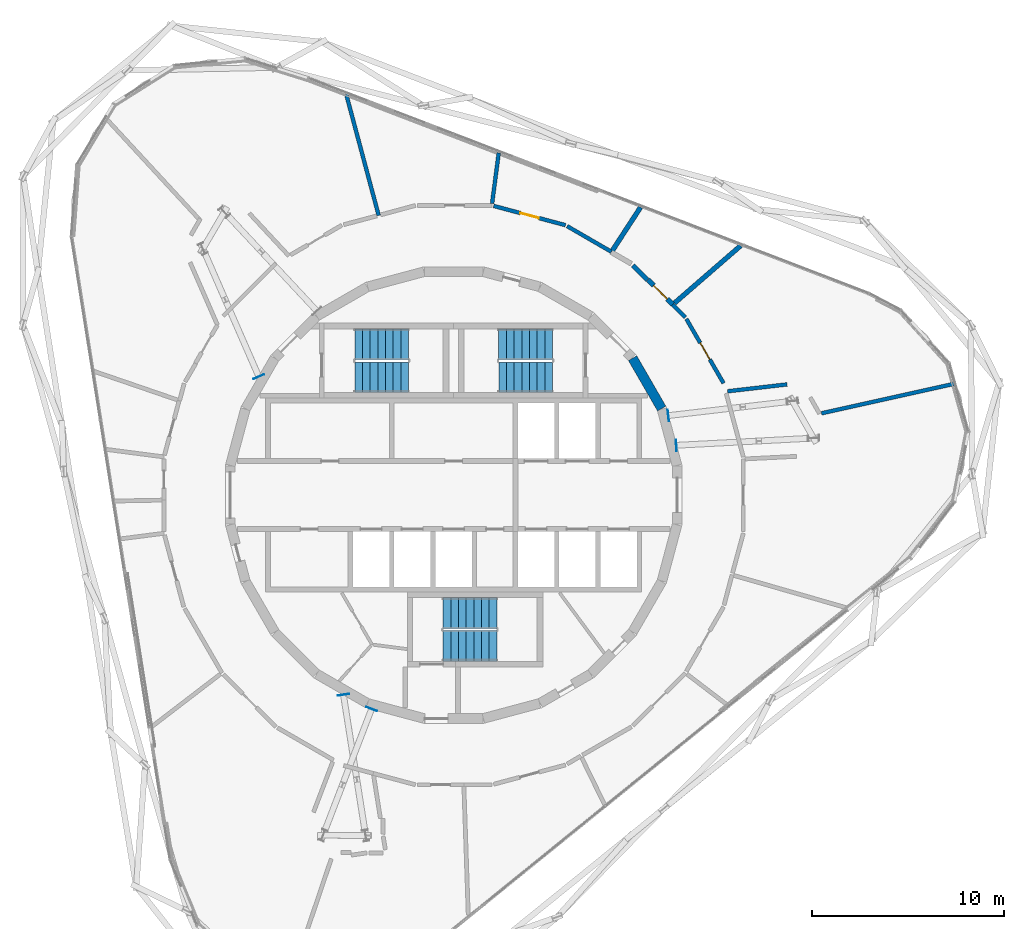
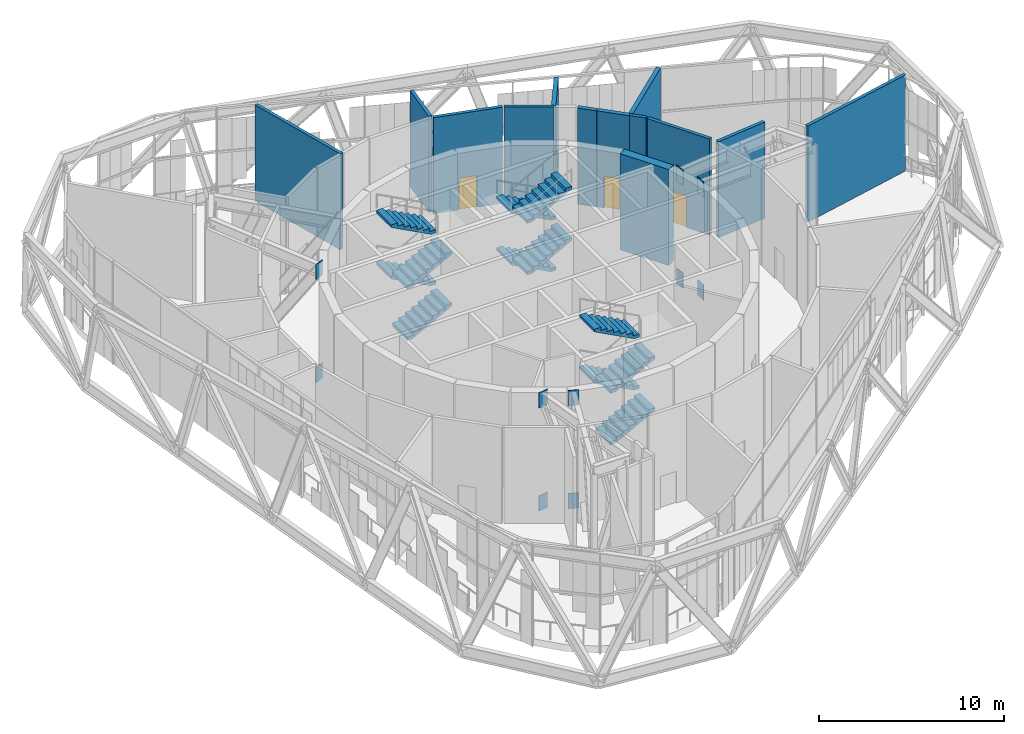
# One storey, part 22 of 25: 13 walls, 12 stair flights, 10 discrete accessories, 3 doors, 3 openings, 3 elements without a shape of their own.
"""IFC4 building model written with IfcOpenShell, lengths in metres."""

from ifc_helpers import new_model, si_unit, direction, frame, frame_2d, origin, origin_2d, place, context, subcontext, project, spatial, polyline, rectangle, outline, extrude, material, layer, layer_set, type_object, element, fill, aggregate, save


model = new_model("IFC4")

# Units and contexts
model_context = context("Model", 3, precision=1e-05, world=origin(), true_north=direction((0.0, 1.0)))
body_context = subcontext(model_context, "Body", "Model", "MODEL_VIEW")
ifc_project = project(units=[si_unit("LENGTHUNIT", "METRE"), si_unit("AREAUNIT", "SQUARE_METRE"), si_unit("VOLUMEUNIT", "CUBIC_METRE"), si_unit("PLANEANGLEUNIT", "RADIAN"), si_unit("MASSUNIT", "GRAM", prefix="KILO")], contexts=[model_context])

# Site, building, storey
site_placement = place(None, origin())
site = spatial("IfcSite", under=ifc_project, at=site_placement, CompositionType="ELEMENT")
building_placement = place(site_placement, origin())
building = spatial("IfcBuilding", under=site, at=building_placement, Name="Spindle Arch Residences", CompositionType="ELEMENT")
storey_placement = place(building_placement, frame((0.0, 0.0, 291.39990234375)))
storey = spatial("IfcBuildingStorey", under=building, at=storey_placement, Name="L75", CompositionType="ELEMENT", Elevation=291.39990234375)

# Walls
ifc_material_1 = material(Name="Concrete C50/60", Category="concrete")
ifc_layer_1 = layer(ifc_material_1, 0.5)
ifc_layer_set_1 = layer_set([ifc_layer_1], Name="Core outline wall 500")
wall_type_1 = type_object("IfcWallType", Name="Core outline wall 500", PredefinedType="SHEAR", material=ifc_layer_set_1)
wall_1_placement = place(storey_placement, frame((10.84521484375, 4.510498046875, 0.0), z_axis=(0.0, 0.0, 1.0), x_axis=(-0.500087131594, 0.865975092491, 0.0)))
element("IfcWall", 1, at=wall_1_placement, inside=storey, type_object=wall_type_1, Name="Core outline wall 8", PredefinedType="SHEAR", context=body_context, shape_type="SweptSolid", body=[
    extrude(rectangle(XDim=3.03271484375, YDim=0.5, at=frame_2d((1.516357421875, 0.0))), origin(), (0.0, 0.0, 1.0), 6.35009765625),
])
ifc_material_2 = material(Name="Concrete C25/30 wall", Category="concrete")
ifc_layer_2 = layer(ifc_material_2, 0.25)
ifc_layer_set_2 = layer_set([ifc_layer_2], Name="Partition EI 120 250 store")
wall_type_2 = type_object("IfcWallType", Name="Partition EI 120 250 store", PredefinedType="PARTITIONING", material=ifc_layer_set_2)
wall_2_placement = place(storey_placement, frame((9.739990234375, 15.0, 0.0), z_axis=(0.0, 0.0, 1.0), x_axis=(-0.545487355209, -0.838119051989, 0.0)))
element("IfcWall", 2, at=wall_2_placement, inside=storey, type_object=wall_type_2, Name="L75-W048", PredefinedType="PARTITIONING", context=body_context, shape_type="SweptSolid", body=[
    extrude(rectangle(XDim=2.76806640625, YDim=0.25, at=frame_2d((1.384033203125, 0.0))), origin(), (0.0, 0.0, 1.0), 6.35009765625),
])
wall_3_placement = place(storey_placement, frame((10.10009765625, 11.219970703125, 0.0), z_axis=(0.0, 0.0, 1.0), x_axis=(-0.707106781187, 0.707106781187, 0.0)))
element("IfcWall", 3, at=wall_3_placement, inside=storey, type_object=wall_type_2, Name="L75-W049", PredefinedType="PARTITIONING", context=body_context, shape_type="SweptSolid", body=[
    extrude(rectangle(XDim=1.06298828125, YDim=0.25, at=frame_2d((0.531494140625, 0.0))), origin(), (0.0, 0.0, 1.0), 6.35009765625),
])

# Wall, opening, door
wall_4_placement = place(storey_placement, frame((11.419921875, 9.929931640625, 0.0), z_axis=(0.0, 0.0, 1.0), x_axis=(-0.707106781187, 0.707106781187, 0.0)))
wall_4 = element("IfcWall", 4, at=wall_4_placement, inside=storey, type_object=wall_type_2, Name="L75-W050", PredefinedType="PARTITIONING", context=body_context, shape_type="SweptSolid", body=[
    extrude(rectangle(XDim=1.824462890625, YDim=0.25, at=frame_2d((0.912109375, 0.0))), origin(), (0.0, 0.0, 1.0), 6.35009765625),
])
opening_1_placement = place(wall_4_placement, frame((0.412109375, 0.0, 0.0)))
opening_1 = element("IfcOpeningElement", 5, at=opening_1_placement, cuts=wall_4, Name="Opening L75-D12", PredefinedType="OPENING", context=body_context, shape_type="SweptSolid", body=[
    extrude(rectangle(XDim=1.0, YDim=2.10009765625, at=frame_2d((0.5, 1.050048828125))), frame((0.0, 0.135009765625, 0.0), z_axis=(0.0, -1.0, 0.0), x_axis=(1.0, 0.0, 0.0)), (0.0, 0.0, 1.0), 0.27001953125),
])
ifc_material_3 = material(Name="Steel door leaf, painted", Category="steel")
door_type_1 = type_object("IfcDoorType", Name="Door 1000x2100 EI 60", OperationType="SINGLE_SWING_LEFT", PredefinedType="DOOR", material=ifc_material_3)
door_1_placement = place(opening_1_placement, origin())
door_1 = element("IfcDoor", 6, at=door_1_placement, inside=storey, type_object=door_type_1, Name="L75-D12", OperationType="SINGLE_SWING_LEFT", OverallHeight=2.10009765625, OverallWidth=1.0, PredefinedType="DOOR", context=body_context, shape_type="SweptSolid", body=[
    extrude(rectangle(XDim=1.0, YDim=2.10009765625, at=frame_2d((0.5, 1.050048828125))), frame((0.0, 0.02490234375, 0.0), z_axis=(0.0, -1.0, 0.0), x_axis=(1.0, 0.0, 0.0)), (0.0, 0.0, 1.0), 0.050048828125),
])
fill(opening_1, door_1)

# Walls
wall_5_placement = place(storey_placement, frame((11.514404296875, 10.011962890625, 0.0), z_axis=(0.0, 0.0, 1.0), x_axis=(0.755484160351, 0.655166912671, 0.0)))
element("IfcWall", 7, at=wall_5_placement, inside=storey, type_object=wall_type_2, Name="L75-W051", PredefinedType="PARTITIONING", context=body_context, shape_type="SweptSolid", body=[
    extrude(rectangle(XDim=4.560791015625, YDim=0.25, at=frame_2d((2.2802734375, 0.0))), origin(), (0.0, 0.0, 1.0), 6.35009765625),
])
ifc_material_4 = material(Name="Gypsum board partition on steel studs", Category="steel")
ifc_layer_3 = layer(ifc_material_4, 0.199951171875)
ifc_layer_set_3 = layer_set([ifc_layer_3], Name="Partition EI 60 200 amenity")
wall_type_3 = type_object("IfcWallType", Name="Partition EI 60 200 amenity", PredefinedType="PARTITIONING", material=ifc_layer_set_3)
wall_6_placement = place(storey_placement, frame((-5.60009765625, 20.889892578125, 0.0), z_axis=(0.0, 0.0, 1.0), x_axis=(0.25874418063, -0.965945883055, 0.0)))
element("IfcWall", 8, at=wall_6_placement, inside=storey, type_object=wall_type_3, Name="L75-W026", PredefinedType="PARTITIONING", context=body_context, shape_type="SweptSolid", body=[
    extrude(rectangle(XDim=6.5322265625, YDim=0.199951171875, at=frame_2d((3.26611328125, 0.0))), origin(), (0.0, 0.0, 1.0), 6.35009765625),
])
wall_7_placement = place(storey_placement, frame((2.0029296875, 15.19921875, 0.0), z_axis=(0.0, 0.0, 1.0), x_axis=(0.130338331924, 0.991469575545, 0.0)))
element("IfcWall", 9, at=wall_7_placement, inside=storey, type_object=wall_type_3, Name="L75-W040", PredefinedType="PARTITIONING", context=body_context, shape_type="SweptSolid", body=[
    extrude(rectangle(XDim=2.66357421875, YDim=0.199951171875, at=frame_2d((1.331787109375, 0.0))), origin(), (0.0, 0.0, 1.0), 6.35009765625),
])

# Wall, opening, door
wall_8_placement = place(storey_placement, frame((5.830078125, 14.070068359375, 0.0), z_axis=(0.0, 0.0, 1.0), x_axis=(-0.965870133458, 0.259026804199, 0.0)))
wall_8 = element("IfcWall", 10, at=wall_8_placement, inside=storey, type_object=wall_type_3, Name="L75-W042", PredefinedType="PARTITIONING", context=body_context, shape_type="SweptSolid", body=[
    extrude(rectangle(XDim=3.875732421875, YDim=0.199951171875, at=frame_2d((1.93798828125, 0.0))), origin(), (0.0, 0.0, 1.0), 6.35009765625),
])
opening_2_placement = place(wall_8_placement, frame((1.43798828125, 0.0, 0.0)))
opening_2 = element("IfcOpeningElement", 11, at=opening_2_placement, cuts=wall_8, Name="Opening L75-D13", PredefinedType="OPENING", context=body_context, shape_type="SweptSolid", body=[
    extrude(rectangle(XDim=1.0, YDim=2.10009765625, at=frame_2d((0.5, 1.050048828125))), frame((0.0, 0.10986328125, 0.0), z_axis=(0.0, -1.0, 0.0), x_axis=(1.0, 0.0, 0.0)), (0.0, 0.0, 1.0), 0.219970703125),
])
ifc_material_5 = material(Name="Timber door leaf", Category="wood")
door_type_2 = type_object("IfcDoorType", Name="Door 1000x2100 EI 30", OperationType="SINGLE_SWING_LEFT", PredefinedType="DOOR", material=ifc_material_5)
door_2_placement = place(opening_2_placement, origin())
door_2 = element("IfcDoor", 12, at=door_2_placement, inside=storey, type_object=door_type_2, Name="L75-D13", OperationType="SINGLE_SWING_LEFT", OverallHeight=2.10009765625, OverallWidth=1.0, PredefinedType="DOOR", context=body_context, shape_type="SweptSolid", body=[
    extrude(rectangle(XDim=1.0, YDim=2.10009765625, at=frame_2d((0.5, 1.050048828125))), frame((0.0, 0.02490234375, 0.0), z_axis=(0.0, -1.0, 0.0), x_axis=(1.0, 0.0, 0.0)), (0.0, 0.0, 1.0), 0.050048828125),
])
fill(opening_2, door_2)

# Walls
wall_9_placement = place(storey_placement, frame((8.21728515625, 12.687255859375, 0.0), z_axis=(0.0, 0.0, 1.0), x_axis=(-0.865346643201, 0.501173809273, 0.0)))
element("IfcWall", 13, at=wall_9_placement, inside=storey, type_object=wall_type_3, Name="L75-W045", PredefinedType="PARTITIONING", context=body_context, shape_type="SweptSolid", body=[
    extrude(rectangle(XDim=2.65869140625, YDim=0.199951171875, at=frame_2d((1.329345703125, 0.0))), origin(), (0.0, 0.0, 1.0), 6.35009765625),
])
wall_10_placement = place(storey_placement, frame((12.080078125, 9.27001953125, 0.0), z_axis=(0.0, 0.0, 1.0), x_axis=(-0.707237545267, 0.70697599292, 0.0)))
element("IfcWall", 14, at=wall_10_placement, inside=storey, type_object=wall_type_3, Name="L75-W054", PredefinedType="PARTITIONING", context=body_context, shape_type="SweptSolid", body=[
    extrude(rectangle(XDim=0.933349609375, YDim=0.199951171875, at=frame_2d((0.466796875, 0.0))), origin(), (0.0, 0.0, 1.0), 6.35009765625),
])

# Wall, opening, door
wall_11_placement = place(storey_placement, frame((14.070068359375, 5.830078125, 0.0), z_axis=(0.0, 0.0, 1.0), x_axis=(-0.500760497952, 0.865585884642, 0.0)))
wall_11 = element("IfcWall", 15, at=wall_11_placement, inside=storey, type_object=wall_type_3, Name="L75-W056", PredefinedType="PARTITIONING", context=body_context, shape_type="SweptSolid", body=[
    extrude(rectangle(XDim=3.8740234375, YDim=0.199951171875, at=frame_2d((1.93701171875, 0.0))), origin(), (0.0, 0.0, 1.0), 6.35009765625),
])
opening_3_placement = place(wall_11_placement, frame((1.43701171875, 0.0, 0.0)))
opening_3 = element("IfcOpeningElement", 16, at=opening_3_placement, cuts=wall_11, Name="Opening L75-D10", PredefinedType="OPENING", context=body_context, shape_type="SweptSolid", body=[
    extrude(rectangle(XDim=1.0, YDim=2.10009765625, at=frame_2d((0.5, 1.050048828125))), frame((0.0, 0.10986328125, 0.0), z_axis=(0.0, -1.0, 0.0), x_axis=(1.0, 0.0, 0.0)), (0.0, 0.0, 1.0), 0.219970703125),
])
door_3_placement = place(opening_3_placement, origin())
door_3 = element("IfcDoor", 17, at=door_3_placement, inside=storey, type_object=door_type_2, Name="L75-D10", OperationType="SINGLE_SWING_LEFT", OverallHeight=2.10009765625, OverallWidth=1.0, PredefinedType="DOOR", context=body_context, shape_type="SweptSolid", body=[
    extrude(rectangle(XDim=1.0, YDim=2.10009765625, at=frame_2d((0.5, 1.050048828125))), frame((0.0, 0.02490234375, 0.0), z_axis=(0.0, -1.0, 0.0), x_axis=(1.0, 0.0, 0.0)), (0.0, 0.0, 1.0), 0.050048828125),
])
fill(opening_3, door_3)

# Walls
wall_12_placement = place(storey_placement, frame((17.3798828125, 5.77001953125, 0.0), z_axis=(0.0, 0.0, 1.0), x_axis=(-0.993376695714, -0.114903178426, 0.0)))
element("IfcWall", 18, at=wall_12_placement, inside=storey, type_object=wall_type_3, Name="L75-W062", PredefinedType="PARTITIONING", context=body_context, shape_type="SweptSolid", body=[
    extrude(rectangle(XDim=3.121337890625, YDim=0.199951171875, at=frame_2d((1.560546875, 0.0))), origin(), (0.0, 0.0, 1.0), 6.35009765625),
])
wall_13_placement = place(storey_placement, frame((19.173095703125, 4.262939453125, 0.0), z_axis=(0.0, 0.0, 1.0), x_axis=(0.976185459525, 0.216937660657, 0.0)))
element("IfcWall", 19, at=wall_13_placement, inside=storey, type_object=wall_type_3, Name="L75-W064", PredefinedType="PARTITIONING", context=body_context, shape_type="SweptSolid", body=[
    extrude(rectangle(XDim=7.177734375, YDim=0.199951171875, at=frame_2d((3.5888671875, 0.0))), origin(), (0.0, 0.0, 1.0), 6.35009765625),
])

# Stair, stair flights
ifc_material_6 = material(Name="Concrete C50/60", Category="concrete")
stair_type = type_object("IfcStairType", Name="Exit stair 32 risers", PredefinedType="HALF_TURN_STAIR", material=ifc_material_6)
stair_1_placement = place(storey_placement, origin())
stair_1 = element("IfcStair", 20, at=stair_1_placement, inside=storey, type_object=stair_type, Name="L75 Exit stair ST1", PredefinedType="HALF_TURN_STAIR")
ifc_material_7 = material(Name="Concrete C50/60", Category="concrete")
stair_flight_type = type_object("IfcStairFlightType", Name="Exit stair flight", PredefinedType="STRAIGHT", material=ifc_material_7)
stair_flight_1_placement = place(storey_placement, frame((5.14990234375, 7.8701171875, 0.0), z_axis=(0.0, 0.0, 1.0), x_axis=(-1.0, 0.0, 0.0)))
stair_flight_1 = element("IfcStairFlight", 21, at=stair_flight_1_placement, type_object=stair_flight_type, Name="ST1 flight 1", NumberOfRisers=8, NumberOfTreads=7, PredefinedType="STRAIGHT", RiserHeight=0.2125, TreadLength=0.4, context=body_context, shape_type="SweptSolid", body=[
    extrude(outline(polyline([(0.0, 0.0), (0.0, 0.21240234375), (0.39990234375, 0.21240234375), (0.39990234375, 0.425048828125), (0.800048828125, 0.425048828125), (0.800048828125, 0.637451171875), (1.199951171875, 0.637451171875), (1.199951171875, 0.85009765625), (1.60009765625, 0.85009765625), (1.60009765625, 1.0625), (2.0, 1.0625), (2.0, 1.27490234375), (2.39990234375, 1.27490234375), (2.39990234375, 1.487548828125), (2.800048828125, 1.487548828125), (2.800048828125, 1.699951171875), (2.800048828125, 1.31787109375), (0.319580078125, 0.0), (0.0, 0.0)])), frame((0.0, 0.800048828125, 0.0), z_axis=(0.0, -1.0, 0.0), x_axis=(1.0, 0.0, 0.0)), (0.0, 0.0, 1.0), 1.60009765625),
])
stair_flight_2_placement = place(storey_placement, frame((2.35009765625, 6.14990234375, 1.7001953125), z_axis=(0.0, 0.0, 1.0), x_axis=(1.0, 0.0, 0.0)))
stair_flight_2 = element("IfcStairFlight", 22, at=stair_flight_2_placement, type_object=stair_flight_type, Name="ST1 flight 2", NumberOfRisers=8, NumberOfTreads=7, PredefinedType="STRAIGHT", RiserHeight=0.2125, TreadLength=0.4, context=body_context, shape_type="SweptSolid", body=[
    extrude(outline(polyline([(0.0, 0.0), (0.0, 0.21240234375), (0.39990234375, 0.21240234375), (0.39990234375, 0.425048828125), (0.800048828125, 0.425048828125), (0.800048828125, 0.637451171875), (1.199951171875, 0.637451171875), (1.199951171875, 0.85009765625), (1.60009765625, 0.85009765625), (1.60009765625, 1.0625), (2.0, 1.0625), (2.0, 1.27490234375), (2.39990234375, 1.27490234375), (2.39990234375, 1.487548828125), (2.800048828125, 1.487548828125), (2.800048828125, 1.699951171875), (2.800048828125, 1.31787109375), (0.319580078125, 0.0), (0.0, 0.0)])), frame((0.0, 0.800048828125, 0.0), z_axis=(0.0, -1.0, 0.0), x_axis=(1.0, 0.0, 0.0)), (0.0, 0.0, 1.0), 1.60009765625),
])
stair_flight_3_placement = place(storey_placement, frame((5.14990234375, 7.8701171875, 3.400146484375), z_axis=(0.0, 0.0, 1.0), x_axis=(-1.0, 0.0, 0.0)))
stair_flight_3 = element("IfcStairFlight", 23, at=stair_flight_3_placement, type_object=stair_flight_type, Name="ST1 flight 3", NumberOfRisers=8, NumberOfTreads=7, PredefinedType="STRAIGHT", RiserHeight=0.2125, TreadLength=0.4, context=body_context, shape_type="SweptSolid", body=[
    extrude(outline(polyline([(0.0, 0.0), (0.0, 0.21240234375), (0.39990234375, 0.21240234375), (0.39990234375, 0.425048828125), (0.800048828125, 0.425048828125), (0.800048828125, 0.637451171875), (1.199951171875, 0.637451171875), (1.199951171875, 0.85009765625), (1.60009765625, 0.85009765625), (1.60009765625, 1.0625), (2.0, 1.0625), (2.0, 1.27490234375), (2.39990234375, 1.27490234375), (2.39990234375, 1.487548828125), (2.800048828125, 1.487548828125), (2.800048828125, 1.699951171875), (2.800048828125, 1.31787109375), (0.319580078125, 0.0), (0.0, 0.0)])), frame((0.0, 0.800048828125, 0.0), z_axis=(0.0, -1.0, 0.0), x_axis=(1.0, 0.0, 0.0)), (0.0, 0.0, 1.0), 1.60009765625),
])
stair_flight_4_placement = place(storey_placement, frame((2.35009765625, 6.14990234375, 5.10009765625), z_axis=(0.0, 0.0, 1.0), x_axis=(1.0, 0.0, 0.0)))
stair_flight_4 = element("IfcStairFlight", 24, at=stair_flight_4_placement, type_object=stair_flight_type, Name="ST1 flight 4", NumberOfRisers=8, NumberOfTreads=7, PredefinedType="STRAIGHT", RiserHeight=0.2125, TreadLength=0.4, context=body_context, shape_type="SweptSolid", body=[
    extrude(outline(polyline([(0.0, 0.0), (0.0, 0.21240234375), (0.39990234375, 0.21240234375), (0.39990234375, 0.425048828125), (0.800048828125, 0.425048828125), (0.800048828125, 0.637451171875), (1.199951171875, 0.637451171875), (1.199951171875, 0.85009765625), (1.60009765625, 0.85009765625), (1.60009765625, 1.0625), (2.0, 1.0625), (2.0, 1.27490234375), (2.39990234375, 1.27490234375), (2.39990234375, 1.487548828125), (2.800048828125, 1.487548828125), (2.800048828125, 1.699951171875), (2.800048828125, 1.31787109375), (0.319580078125, 0.0), (0.0, 0.0)])), frame((0.0, 0.800048828125, 0.0), z_axis=(0.0, -1.0, 0.0), x_axis=(1.0, 0.0, 0.0)), (0.0, 0.0, 1.0), 1.60009765625),
])
aggregate(stair_1, [stair_flight_1, stair_flight_2, stair_flight_3, stair_flight_4])

stair_2_placement = place(storey_placement, origin())
stair_2 = element("IfcStair", 25, at=stair_2_placement, inside=storey, type_object=stair_type, Name="L75 Exit stair ST2", PredefinedType="HALF_TURN_STAIR")
stair_flight_5_placement = place(storey_placement, frame((-5.14990234375, 6.14990234375, 0.0), z_axis=(0.0, 0.0, 1.0), x_axis=(1.0, 0.0, 0.0)))
stair_flight_5 = element("IfcStairFlight", 26, at=stair_flight_5_placement, type_object=stair_flight_type, Name="ST2 flight 1", NumberOfRisers=8, NumberOfTreads=7, PredefinedType="STRAIGHT", RiserHeight=0.2125, TreadLength=0.4, context=body_context, shape_type="SweptSolid", body=[
    extrude(outline(polyline([(0.0, 0.0), (0.0, 0.21240234375), (0.39990234375, 0.21240234375), (0.39990234375, 0.425048828125), (0.800048828125, 0.425048828125), (0.800048828125, 0.637451171875), (1.199951171875, 0.637451171875), (1.199951171875, 0.85009765625), (1.60009765625, 0.85009765625), (1.60009765625, 1.0625), (2.0, 1.0625), (2.0, 1.27490234375), (2.39990234375, 1.27490234375), (2.39990234375, 1.487548828125), (2.800048828125, 1.487548828125), (2.800048828125, 1.699951171875), (2.800048828125, 1.31787109375), (0.319580078125, 0.0), (0.0, 0.0)])), frame((0.0, 0.800048828125, 0.0), z_axis=(0.0, -1.0, 0.0), x_axis=(1.0, 0.0, 0.0)), (0.0, 0.0, 1.0), 1.60009765625),
])
stair_flight_6_placement = place(storey_placement, frame((-2.35009765625, 7.8701171875, 1.7001953125), z_axis=(0.0, 0.0, 1.0), x_axis=(-1.0, 0.0, 0.0)))
stair_flight_6 = element("IfcStairFlight", 27, at=stair_flight_6_placement, type_object=stair_flight_type, Name="ST2 flight 2", NumberOfRisers=8, NumberOfTreads=7, PredefinedType="STRAIGHT", RiserHeight=0.2125, TreadLength=0.4, context=body_context, shape_type="SweptSolid", body=[
    extrude(outline(polyline([(0.0, 0.0), (0.0, 0.21240234375), (0.39990234375, 0.21240234375), (0.39990234375, 0.425048828125), (0.800048828125, 0.425048828125), (0.800048828125, 0.637451171875), (1.199951171875, 0.637451171875), (1.199951171875, 0.85009765625), (1.60009765625, 0.85009765625), (1.60009765625, 1.0625), (2.0, 1.0625), (2.0, 1.27490234375), (2.39990234375, 1.27490234375), (2.39990234375, 1.487548828125), (2.800048828125, 1.487548828125), (2.800048828125, 1.699951171875), (2.800048828125, 1.31787109375), (0.319580078125, 0.0), (0.0, 0.0)])), frame((0.0, 0.800048828125, 0.0), z_axis=(0.0, -1.0, 0.0), x_axis=(1.0, 0.0, 0.0)), (0.0, 0.0, 1.0), 1.60009765625),
])
stair_flight_7_placement = place(storey_placement, frame((-5.14990234375, 6.14990234375, 3.400146484375), z_axis=(0.0, 0.0, 1.0), x_axis=(1.0, 0.0, 0.0)))
stair_flight_7 = element("IfcStairFlight", 28, at=stair_flight_7_placement, type_object=stair_flight_type, Name="ST2 flight 3", NumberOfRisers=8, NumberOfTreads=7, PredefinedType="STRAIGHT", RiserHeight=0.2125, TreadLength=0.4, context=body_context, shape_type="SweptSolid", body=[
    extrude(outline(polyline([(0.0, 0.0), (0.0, 0.21240234375), (0.39990234375, 0.21240234375), (0.39990234375, 0.425048828125), (0.800048828125, 0.425048828125), (0.800048828125, 0.637451171875), (1.199951171875, 0.637451171875), (1.199951171875, 0.85009765625), (1.60009765625, 0.85009765625), (1.60009765625, 1.0625), (2.0, 1.0625), (2.0, 1.27490234375), (2.39990234375, 1.27490234375), (2.39990234375, 1.487548828125), (2.800048828125, 1.487548828125), (2.800048828125, 1.699951171875), (2.800048828125, 1.31787109375), (0.319580078125, 0.0), (0.0, 0.0)])), frame((0.0, 0.800048828125, 0.0), z_axis=(0.0, -1.0, 0.0), x_axis=(1.0, 0.0, 0.0)), (0.0, 0.0, 1.0), 1.60009765625),
])
stair_flight_8_placement = place(storey_placement, frame((-2.35009765625, 7.8701171875, 5.10009765625), z_axis=(0.0, 0.0, 1.0), x_axis=(-1.0, 0.0, 0.0)))
stair_flight_8 = element("IfcStairFlight", 29, at=stair_flight_8_placement, type_object=stair_flight_type, Name="ST2 flight 4", NumberOfRisers=8, NumberOfTreads=7, PredefinedType="STRAIGHT", RiserHeight=0.2125, TreadLength=0.4, context=body_context, shape_type="SweptSolid", body=[
    extrude(outline(polyline([(0.0, 0.0), (0.0, 0.21240234375), (0.39990234375, 0.21240234375), (0.39990234375, 0.425048828125), (0.800048828125, 0.425048828125), (0.800048828125, 0.637451171875), (1.199951171875, 0.637451171875), (1.199951171875, 0.85009765625), (1.60009765625, 0.85009765625), (1.60009765625, 1.0625), (2.0, 1.0625), (2.0, 1.27490234375), (2.39990234375, 1.27490234375), (2.39990234375, 1.487548828125), (2.800048828125, 1.487548828125), (2.800048828125, 1.699951171875), (2.800048828125, 1.31787109375), (0.319580078125, 0.0), (0.0, 0.0)])), frame((0.0, 0.800048828125, 0.0), z_axis=(0.0, -1.0, 0.0), x_axis=(1.0, 0.0, 0.0)), (0.0, 0.0, 1.0), 1.60009765625),
])
aggregate(stair_2, [stair_flight_5, stair_flight_6, stair_flight_7, stair_flight_8])

stair_3_placement = place(storey_placement, origin())
stair_3 = element("IfcStair", 30, at=stair_3_placement, inside=storey, type_object=stair_type, Name="L75 Exit stair ST3", PredefinedType="HALF_TURN_STAIR")
stair_flight_9_placement = place(storey_placement, frame((-0.550048828125, -7.8701171875, 0.0), z_axis=(0.0, 0.0, 1.0), x_axis=(1.0, 0.0, 0.0)))
stair_flight_9 = element("IfcStairFlight", 31, at=stair_flight_9_placement, type_object=stair_flight_type, Name="ST3 flight 1", NumberOfRisers=8, NumberOfTreads=7, PredefinedType="STRAIGHT", RiserHeight=0.2125, TreadLength=0.4, context=body_context, shape_type="SweptSolid", body=[
    extrude(outline(polyline([(0.0, 0.0), (0.0, 0.21240234375), (0.39990234375, 0.21240234375), (0.39990234375, 0.425048828125), (0.800048828125, 0.425048828125), (0.800048828125, 0.637451171875), (1.199951171875, 0.637451171875), (1.199951171875, 0.85009765625), (1.60009765625, 0.85009765625), (1.60009765625, 1.0625), (2.0, 1.0625), (2.0, 1.27490234375), (2.39990234375, 1.27490234375), (2.39990234375, 1.487548828125), (2.800048828125, 1.487548828125), (2.800048828125, 1.699951171875), (2.800048828125, 1.31787109375), (0.319580078125, 0.0), (0.0, 0.0)])), frame((0.0, 0.800048828125, 0.0), z_axis=(0.0, -1.0, 0.0), x_axis=(1.0, 0.0, 0.0)), (0.0, 0.0, 1.0), 1.60009765625),
])
stair_flight_10_placement = place(storey_placement, frame((2.25, -6.14990234375, 1.7001953125), z_axis=(0.0, 0.0, 1.0), x_axis=(-1.0, 0.0, 0.0)))
stair_flight_10 = element("IfcStairFlight", 32, at=stair_flight_10_placement, type_object=stair_flight_type, Name="ST3 flight 2", NumberOfRisers=8, NumberOfTreads=7, PredefinedType="STRAIGHT", RiserHeight=0.2125, TreadLength=0.4, context=body_context, shape_type="SweptSolid", body=[
    extrude(outline(polyline([(0.0, 0.0), (0.0, 0.21240234375), (0.39990234375, 0.21240234375), (0.39990234375, 0.425048828125), (0.800048828125, 0.425048828125), (0.800048828125, 0.637451171875), (1.199951171875, 0.637451171875), (1.199951171875, 0.85009765625), (1.60009765625, 0.85009765625), (1.60009765625, 1.0625), (2.0, 1.0625), (2.0, 1.27490234375), (2.39990234375, 1.27490234375), (2.39990234375, 1.487548828125), (2.800048828125, 1.487548828125), (2.800048828125, 1.699951171875), (2.800048828125, 1.31787109375), (0.319580078125, 0.0), (0.0, 0.0)])), frame((0.0, 0.800048828125, 0.0), z_axis=(0.0, -1.0, 0.0), x_axis=(1.0, 0.0, 0.0)), (0.0, 0.0, 1.0), 1.60009765625),
])
stair_flight_11_placement = place(storey_placement, frame((-0.550048828125, -7.8701171875, 3.400146484375), z_axis=(0.0, 0.0, 1.0), x_axis=(1.0, 0.0, 0.0)))
stair_flight_11 = element("IfcStairFlight", 33, at=stair_flight_11_placement, type_object=stair_flight_type, Name="ST3 flight 3", NumberOfRisers=8, NumberOfTreads=7, PredefinedType="STRAIGHT", RiserHeight=0.2125, TreadLength=0.4, context=body_context, shape_type="SweptSolid", body=[
    extrude(outline(polyline([(0.0, 0.0), (0.0, 0.21240234375), (0.39990234375, 0.21240234375), (0.39990234375, 0.425048828125), (0.800048828125, 0.425048828125), (0.800048828125, 0.637451171875), (1.199951171875, 0.637451171875), (1.199951171875, 0.85009765625), (1.60009765625, 0.85009765625), (1.60009765625, 1.0625), (2.0, 1.0625), (2.0, 1.27490234375), (2.39990234375, 1.27490234375), (2.39990234375, 1.487548828125), (2.800048828125, 1.487548828125), (2.800048828125, 1.699951171875), (2.800048828125, 1.31787109375), (0.319580078125, 0.0), (0.0, 0.0)])), frame((0.0, 0.800048828125, 0.0), z_axis=(0.0, -1.0, 0.0), x_axis=(1.0, 0.0, 0.0)), (0.0, 0.0, 1.0), 1.60009765625),
])
stair_flight_12_placement = place(storey_placement, frame((2.25, -6.14990234375, 5.10009765625), z_axis=(0.0, 0.0, 1.0), x_axis=(-1.0, 0.0, 0.0)))
stair_flight_12 = element("IfcStairFlight", 34, at=stair_flight_12_placement, type_object=stair_flight_type, Name="ST3 flight 4", NumberOfRisers=8, NumberOfTreads=7, PredefinedType="STRAIGHT", RiserHeight=0.2125, TreadLength=0.4, context=body_context, shape_type="SweptSolid", body=[
    extrude(outline(polyline([(0.0, 0.0), (0.0, 0.21240234375), (0.39990234375, 0.21240234375), (0.39990234375, 0.425048828125), (0.800048828125, 0.425048828125), (0.800048828125, 0.637451171875), (1.199951171875, 0.637451171875), (1.199951171875, 0.85009765625), (1.60009765625, 0.85009765625), (1.60009765625, 1.0625), (2.0, 1.0625), (2.0, 1.27490234375), (2.39990234375, 1.27490234375), (2.39990234375, 1.487548828125), (2.800048828125, 1.487548828125), (2.800048828125, 1.699951171875), (2.800048828125, 1.31787109375), (0.319580078125, 0.0), (0.0, 0.0)])), frame((0.0, 0.800048828125, 0.0), z_axis=(0.0, -1.0, 0.0), x_axis=(1.0, 0.0, 0.0)), (0.0, 0.0, 1.0), 1.60009765625),
])
aggregate(stair_3, [stair_flight_9, stair_flight_10, stair_flight_11, stair_flight_12])

# Discrete accessories
ifc_material_8 = material(Name="Steel S355J2, hot-dip galvanised", Category="steel")
ifc_layer_4 = layer(ifc_material_8, 0.030029296875)
ifc_layer_set_4 = layer_set([ifc_layer_4], Name="Cast-in plate 30x600x1014")
discrete_accessory_type = type_object("IfcDiscreteAccessoryType", Name="Cast-in plate 30x600x1014", PredefinedType="ANCHORPLATE", material=ifc_layer_set_4)
for number, where, z_axis, x_axis, name in (
    (35, (11.6064453125, 2.59521484375, -1.36376953125), (0.0, 0.0, 1.0), (0.998620293548, 0.0525119921, 0.0), "Cast-in plate"),
    (36, (11.6064453125, 2.59521484375, 5.43603515625), (0.0, 0.0, 1.0), (0.998620293548, 0.0525119921, 0.0), "Cast-in plate"),
    (37, (11.19140625, 4.143798828125, -1.36376953125), (0.0, 0.0, 1.0), (0.993270873028, 0.115814389406, 0.0), "Cast-in plate"),
    (38, (11.19140625, 4.143798828125, 5.43603515625), (0.0, 0.0, 1.0), (0.993270873028, 0.115814389406, 0.0), "Cast-in plate"),
    (39, (-10.157958984375, 6.176513671875, -1.36376953125), (0.0, 0.0, 1.0), (-0.400457785855, 0.916315208729, 0.0), "Cast-in plate"),
    (40, (-10.157958984375, 6.176513671875, 5.43603515625), (0.0, 0.0, 1.0), (-0.400457785855, 0.916315208729, 0.0), "Cast-in plate"),
    (41, (-4.28173828125, -11.154296875, -1.36376953125), (0.0, 0.0, 1.0), (-0.35836957895, -0.933579801026, 0.0), "Cast-in plate"),
    (42, (-4.28173828125, -11.154296875, 5.43603515625), (0.0, 0.0, 1.0), (-0.35836957895, -0.933579801026, 0.0), "Cast-in plate"),
    (43, (-5.74609375, -10.40673828125, -1.36376953125), (0.0, 0.0, 1.0), (0.155727650094, -0.987800029862, 0.0), "Cast-in plate"),
    (44, (-5.74609375, -10.40673828125, 5.43603515625), (0.0, 0.0, 1.0), (0.155727650094, -0.987800029862, 0.0), "Cast-in plate"),
):
    element("IfcDiscreteAccessory", number, at=place(storey_placement, frame(where, z_axis=z_axis, x_axis=x_axis)), inside=storey, type_object=discrete_accessory_type, Name=name, PredefinedType="ANCHORPLATE", context=body_context, shape_type="SweptSolid", body=[
        extrude(rectangle(XDim=0.030029296875, YDim=0.60009765625, at=origin_2d()), origin(), (0.0, 0.0, 1.0), 1.013916015625),
    ])

save(model, "model.ifc")
